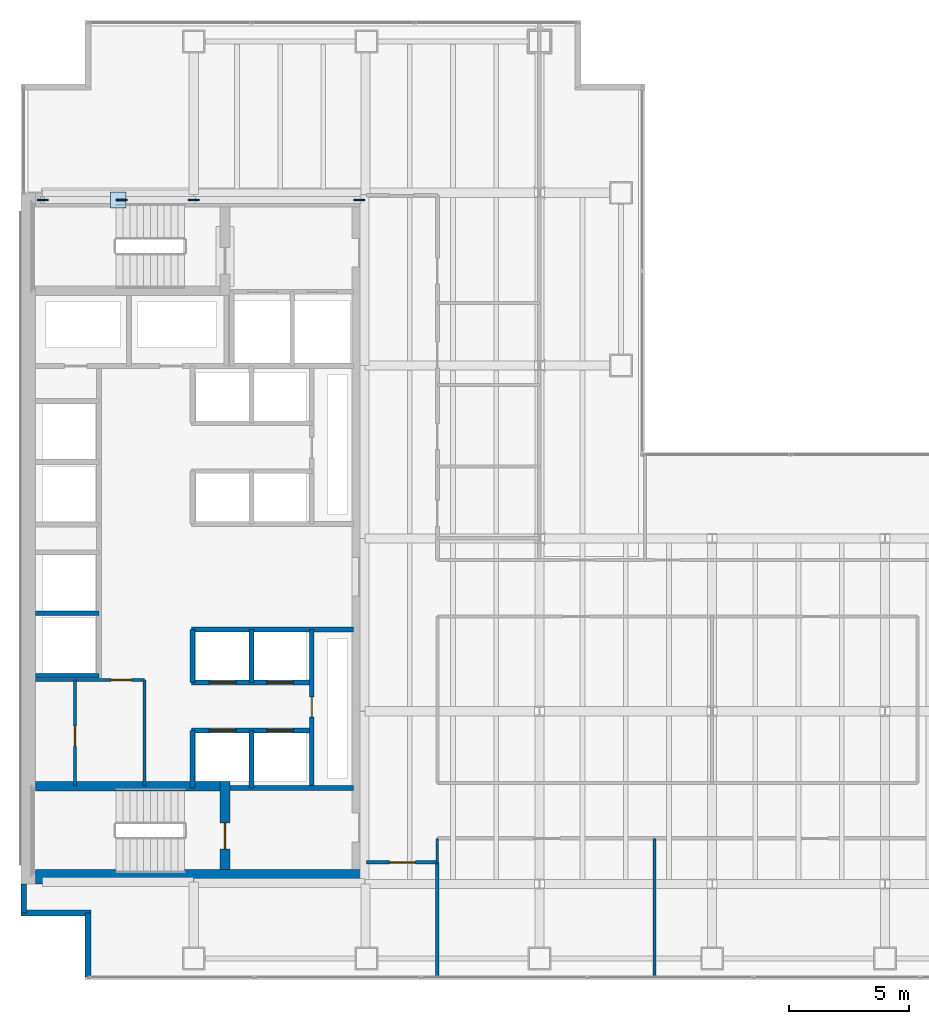
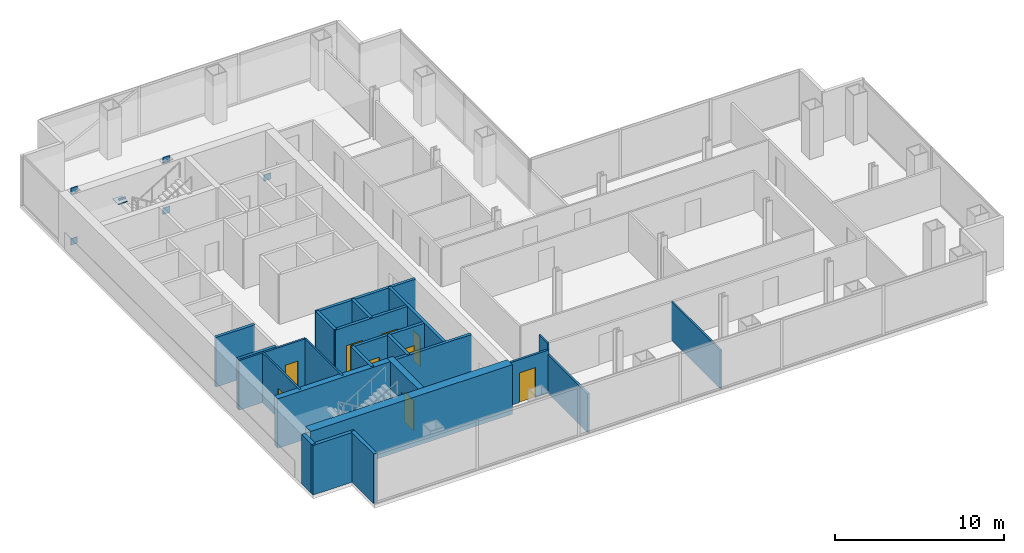
# One storey, part 20 of 23: 24 walls, 9 doors, 7 plates, 9 openings.
"""IFC4 building model written with IfcOpenShell, lengths in metres."""

from ifc_helpers import new_model, si_unit, direction, frame, frame_2d, origin, origin_2d, place, context, subcontext, project, spatial, rectangle, extrude, material, layer, layer_set, type_object, element, fill, save


model = new_model("IFC4")

# Units and contexts
model_context = context("Model", 3, precision=1e-05, world=origin(), true_north=direction((0.0, 1.0)))
body_context = subcontext(model_context, "Body", "Model", "MODEL_VIEW")
ifc_project = project(units=[si_unit("LENGTHUNIT", "METRE"), si_unit("AREAUNIT", "SQUARE_METRE"), si_unit("VOLUMEUNIT", "CUBIC_METRE"), si_unit("PLANEANGLEUNIT", "RADIAN"), si_unit("MASSUNIT", "GRAM", prefix="KILO")], contexts=[model_context])

# Site, building, storey
site_placement = place(None, origin())
site = spatial("IfcSite", under=ifc_project, at=site_placement, CompositionType="ELEMENT")
building_placement = place(site_placement, origin())
building = spatial("IfcBuilding", under=site, at=building_placement, Name="Cobrela Telecom Tower", CompositionType="ELEMENT")
storey_placement = place(building_placement, frame((0.0, 0.0, 102.199951171875)))
storey = spatial("IfcBuildingStorey", under=building, at=storey_placement, Name="L25", CompositionType="ELEMENT", Elevation=102.199951171875)

# Plates
ifc_material_1 = material(Name="Steel ASTM A572 Grade 50", Category="steel")
ifc_layer_1 = layer(ifc_material_1, 0.0419921875)
ifc_layer_set_1 = layer_set([ifc_layer_1], Name="Steel ASTM A572 Grade 50")
plate_type = type_object("IfcPlateType", Name="PLT-NODE-ND1", PredefinedType="USERDEFINED", material=ifc_layer_set_1)
for number, where, z_axis, x_axis, name in (
    (1, (0.89990234375, 35.699951171875, -0.27001953125), (0.0, 0.0, 1.0), (1.0, 0.0, 0.0), "Steel node plate PLT-MBR-EXO-L25-N1-A-0"),
    (2, (7.199951171875, 35.699951171875, 3.39013671875), (0.0, 0.0, 1.0), (1.0, 0.0, 0.0), "Steel node plate PLT-MBR-EXO-L25-N1-A-1"),
    (3, (7.199951171875, 35.699951171875, -0.27001953125), (0.0, 0.0, 1.0), (-1.0, 0.0, 0.0), "Steel node plate PLT-MBR-EXO-L25-N1-B1-0"),
    (4, (4.1953125, 35.699951171875, 1.4755859375), (0.0, 0.0, 1.0), (-1.0, 0.0, 0.0), "Steel node plate PLT-MBR-EXO-L25-N1-B1-1"),
    (5, (0.89990234375, 35.699951171875, 3.39013671875), (0.0, 0.0, 1.0), (-1.0, 0.0, 0.0), "Steel node plate PLT-MBR-EXO-L25-N1-B2-1"),
):
    element("IfcPlate", number, at=place(storey_placement, frame(where, z_axis=z_axis, x_axis=x_axis)), inside=storey, type_object=plate_type, Name=name, ObjectType="GUSSET PLATE", PredefinedType="USERDEFINED", context=body_context, shape_type="SweptSolid", body=[
        extrude(rectangle(XDim=0.4599609375, YDim=0.044921875, at=origin_2d()), origin(), (0.0, 0.0, 1.0), 0.4599609375),
    ])
plate_1_placement = place(storey_placement, frame((4.050048828125, 35.699951171875, 1.767578125), z_axis=(0.0, 0.0, 1.0), x_axis=(1.0, 0.0, 0.0)))
element("IfcPlate", 6, at=plate_1_placement, inside=storey, type_object=plate_type, Name="L25 Core Flange Steel X-Brace Central X-Crossing Gusset Plate", ObjectType="GUSSET PLATE", PredefinedType="USERDEFINED", context=body_context, shape_type="SweptSolid", body=[
    extrude(rectangle(XDim=0.64990234375, YDim=0.64990234375, at=origin_2d()), origin(), (0.0, 0.0, 1.0), 0.044921875),
])
plate_2_placement = place(storey_placement, frame((14.10009765625, 35.699951171875, -0.27001953125), z_axis=(0.0, 0.0, 1.0), x_axis=(-1.0, 0.0, 0.0)))
element("IfcPlate", 7, at=plate_2_placement, inside=storey, type_object=plate_type, Name="Steel node plate PLT-MBR-EXO-L25-N2-0", ObjectType="GUSSET PLATE", PredefinedType="USERDEFINED", context=body_context, shape_type="SweptSolid", body=[
    extrude(rectangle(XDim=0.4599609375, YDim=0.044921875, at=origin_2d()), origin(), (0.0, 0.0, 1.0), 0.4599609375),
])

# Walls
ifc_material_2 = material(Name="Concrete C50/60", Category="concrete")
ifc_layer_2 = layer(ifc_material_2, 0.60009765625)
ifc_layer_set_2 = layer_set([ifc_layer_2], Name="Concrete C50/60")
wall_type_1 = type_object("IfcWallType", Name="WALL-CORE-C50-600", PredefinedType="SHEAR", material=ifc_layer_set_2)
wall_1_placement = place(storey_placement, frame((0.60009765625, 7.5, 0.0), z_axis=(0.0, 0.0, 1.0), x_axis=(1.0, 0.0, 0.0)))
element("IfcWall", 8, at=wall_1_placement, inside=storey, type_object=wall_type_1, Name="L25 South Core Shear Wall", PredefinedType="SHEAR", context=body_context, shape_type="SweptSolid", body=[
    extrude(rectangle(XDim=13.7998046875, YDim=0.60009765625, at=frame_2d((6.89990234375, 0.0))), origin(), (0.0, 0.0, 1.0), 3.580078125),
])
ifc_material_3 = material(Name="Concrete C40/50", Category="concrete")
ifc_layer_3 = layer(ifc_material_3, 0.239990234375)
ifc_layer_set_3 = layer_set([ifc_layer_3], Name="Concrete C40/50")
wall_type_2 = type_object("IfcWallType", Name="WALL-EXT-300", PredefinedType="STANDARD", material=ifc_layer_set_3)
wall_2_placement = place(storey_placement, frame((2.7900390625, 3.320068359375, 0.0), z_axis=(0.0, 0.0, 1.0), x_axis=(0.0, 1.0, 0.0)))
element("IfcWall", 9, at=wall_2_placement, inside=storey, type_object=wall_type_2, Name="L25 Insulated Facade Wall 01", PredefinedType="STANDARD", context=body_context, shape_type="SweptSolid", body=[
    extrude(rectangle(XDim=2.669921875, YDim=0.239990234375, at=frame_2d((1.3349609375, 0.0))), origin(), (0.0, 0.0, 1.0), 3.580078125),
])
wall_3_placement = place(storey_placement, frame((2.909912109375, 5.989990234375, 0.0), z_axis=(0.0, 0.0, 1.0), x_axis=(-1.0, 0.0, 0.0)))
element("IfcWall", 10, at=wall_3_placement, inside=storey, type_object=wall_type_2, Name="L25 Insulated Facade Wall 02", PredefinedType="STANDARD", context=body_context, shape_type="SweptSolid", body=[
    extrude(rectangle(XDim=2.909912109375, YDim=0.239990234375, at=frame_2d((1.455078125, 0.0))), origin(), (0.0, 0.0, 1.0), 3.580078125),
])
wall_4_placement = place(storey_placement, frame((0.1201171875, 5.989990234375, 0.0), z_axis=(0.0, 0.0, 1.0), x_axis=(0.0, 1.0, 0.0)))
element("IfcWall", 11, at=wall_4_placement, inside=storey, type_object=wall_type_2, Name="L25 Insulated Facade Wall 03", PredefinedType="STANDARD", context=body_context, shape_type="SweptSolid", body=[
    extrude(rectangle(XDim=1.2099609375, YDim=0.239990234375, at=frame_2d((0.60498046875, 0.0))), origin(), (0.0, 0.0, 1.0), 3.580078125),
])
ifc_material_4 = material(Name="Fire-Rated Gypsum Plasterboard")
ifc_layer_4 = layer(ifc_material_4, 0.110107421875)
ifc_layer_set_4 = layer_set([ifc_layer_4], Name="Fire-Rated Gypsum Plasterboard")
wall_type_3 = type_object("IfcWallType", Name="WALL-PART-110", PredefinedType="PARTITIONING", material=ifc_layer_set_4)
wall_5_placement = place(storey_placement, frame((5.14990234375, 11.280029296875, 0.0), z_axis=(0.0, 0.0, 1.0), x_axis=(0.0, 1.0, 0.0)))
element("IfcWall", 12, at=wall_5_placement, inside=storey, type_object=wall_type_3, Name="L25 Interior Partition CW-FLEX-E", PredefinedType="PARTITIONING", context=body_context, shape_type="SweptSolid", body=[
    extrude(rectangle(XDim=4.419921875, YDim=0.110107421875, at=frame_2d((2.2099609375, 0.0))), origin(), (0.0, 0.0, 1.0), 3.580078125),
])
wall_6_placement = place(storey_placement, frame((17.35009765625, 8.10009765625, 0.0), z_axis=(0.0, 0.0, 1.0), x_axis=(0.0, 1.0, 0.0)))
element("IfcWall", 13, at=wall_6_placement, inside=storey, type_object=wall_type_3, Name="L25 Interior Partition W-UW-E1", PredefinedType="PARTITIONING", context=body_context, shape_type="SweptSolid", body=[
    extrude(rectangle(XDim=1.0, YDim=0.110107421875, at=frame_2d((0.5, 0.0))), origin(), (0.0, 0.0, 1.0), 3.580078125),
])
wall_7_placement = place(storey_placement, frame((26.39990234375, 3.320068359375, 0.0), z_axis=(0.0, 0.0, 1.0), x_axis=(0.0, 1.0, 0.0)))
element("IfcWall", 14, at=wall_7_placement, inside=storey, type_object=wall_type_3, Name="L25 Interior Partition W-USV-1", PredefinedType="PARTITIONING", context=body_context, shape_type="SweptSolid", body=[
    extrude(rectangle(XDim=5.780029296875, YDim=0.110107421875, at=frame_2d((2.89013671875, 0.0))), origin(), (0.0, 0.0, 1.0), 2.79296875),
])

# Wall, opening, door
ifc_layer_5 = layer(ifc_material_4, 0.125)
ifc_layer_set_5 = layer_set([ifc_layer_5], Name="Fire-Rated Gypsum Plasterboard")
wall_type_4 = type_object("IfcWallType", Name="WALL-PART-125", PredefinedType="PARTITIONING", material=ifc_layer_set_5)
wall_8_placement = place(storey_placement, frame((2.25, 11.280029296875, 0.0), z_axis=(0.0, 0.0, 1.0), x_axis=(0.0, 1.0, 0.0)))
wall_8 = element("IfcWall", 15, at=wall_8_placement, inside=storey, type_object=wall_type_4, Name="L25 Interior Partition CW-FK0-V", PredefinedType="PARTITIONING", context=body_context, shape_type="SweptSolid", body=[
    extrude(rectangle(XDim=4.419921875, YDim=0.125, at=frame_2d((2.2099609375, 0.0))), origin(), (0.0, 0.0, 1.0), 3.580078125),
])
opening_1_placement = place(wall_8_placement, frame((1.64990234375, 0.0, 0.0)))
opening_1 = element("IfcOpeningElement", 16, at=opening_1_placement, cuts=wall_8, Name="Opening DR-11", PredefinedType="OPENING", context=body_context, shape_type="SweptSolid", body=[
    extrude(rectangle(XDim=0.85009765625, YDim=2.14990234375, at=frame_2d((0.425048828125, 1.074951171875))), frame((0.0, 0.074462890625, 0.0), z_axis=(0.0, -1.0, 0.0), x_axis=(1.0, 0.0, 0.0)), (0.0, 0.0, 1.0), 0.14892578125),
])
ifc_material_5 = material(Name="Solid Engineered Oak Timber", Category="wood")
door_type_1 = type_object("IfcDoorType", Name="DOOR-INT-850", OperationType="SINGLE_SWING_LEFT", PredefinedType="DOOR", material=ifc_material_5)
door_1_placement = place(opening_1_placement, origin())
door_1 = element("IfcDoor", 17, at=door_1_placement, inside=storey, type_object=door_type_1, Name="L25 Door DR-11", OperationType="SINGLE_SWING_LEFT", OverallHeight=2.14990234375, OverallWidth=0.85009765625, PredefinedType="DOOR", context=body_context, shape_type="SweptSolid", body=[
    extrude(rectangle(XDim=0.85009765625, YDim=2.14990234375, at=frame_2d((0.425048828125, 1.074951171875))), frame((0.0, 0.02490234375, 0.0), z_axis=(0.0, -1.0, 0.0), x_axis=(1.0, 0.0, 0.0)), (0.0, 0.0, 1.0), 0.050048828125),
])
fill(opening_1, door_1)

ifc_layer_6 = layer(ifc_material_4, 0.135009765625)
ifc_layer_set_6 = layer_set([ifc_layer_6], Name="Fire-Rated Gypsum Plasterboard")
wall_type_5 = type_object("IfcWallType", Name="WALL-PART-135", PredefinedType="PARTITIONING", material=ifc_layer_set_6)
wall_9_placement = place(storey_placement, frame((0.60009765625, 15.699951171875, 0.0), z_axis=(0.0, 0.0, 1.0), x_axis=(1.0, 0.0, 0.0)))
wall_9 = element("IfcWall", 18, at=wall_9_placement, inside=storey, type_object=wall_type_5, Name="L25 Interior Partition CW-FLEX-N", PredefinedType="PARTITIONING", context=body_context, shape_type="SweptSolid", body=[
    extrude(rectangle(XDim=4.5498046875, YDim=0.135009765625, at=frame_2d((2.27490234375, 0.0))), origin(), (0.0, 0.0, 1.0), 3.580078125),
])
opening_2_placement = place(wall_9_placement, frame((3.14990234375, 0.0, 0.0)))
opening_2 = element("IfcOpeningElement", 19, at=opening_2_placement, cuts=wall_9, Name="Opening DR-11", PredefinedType="OPENING", context=body_context, shape_type="SweptSolid", body=[
    extrude(rectangle(XDim=0.85009765625, YDim=2.14990234375, at=frame_2d((0.425048828125, 1.074951171875))), frame((0.0, 0.07958984375, 0.0), z_axis=(0.0, -1.0, 0.0), x_axis=(1.0, 0.0, 0.0)), (0.0, 0.0, 1.0), 0.158935546875),
])
door_2_placement = place(opening_2_placement, origin())
door_2 = element("IfcDoor", 20, at=door_2_placement, inside=storey, type_object=door_type_1, Name="L25 Door DR-11", OperationType="SINGLE_SWING_RIGHT", OverallHeight=2.14990234375, OverallWidth=0.85009765625, PredefinedType="DOOR", context=body_context, shape_type="SweptSolid", body=[
    extrude(rectangle(XDim=0.85009765625, YDim=2.14990234375, at=frame_2d((0.425048828125, 1.074951171875))), frame((0.0, 0.02490234375, 0.0), z_axis=(0.0, -1.0, 0.0), x_axis=(1.0, 0.0, 0.0)), (0.0, 0.0, 1.0), 0.050048828125),
])
fill(opening_2, door_2)

# Wall
wall_10_placement = place(storey_placement, frame((17.35009765625, 3.320068359375, 0.0), z_axis=(0.0, 0.0, 1.0), x_axis=(0.0, 1.0, 0.0)))
element("IfcWall", 21, at=wall_10_placement, inside=storey, type_object=wall_type_5, Name="L25 Interior Partition W-USW-E", PredefinedType="PARTITIONING", context=body_context, shape_type="SweptSolid", body=[
    extrude(rectangle(XDim=4.780029296875, YDim=0.135009765625, at=frame_2d((2.39013671875, 0.0))), origin(), (0.0, 0.0, 1.0), 2.79296875),
])

# Wall, opening, door
ifc_layer_7 = layer(ifc_material_4, 0.14990234375)
ifc_layer_set_7 = layer_set([ifc_layer_7], Name="Fire-Rated Gypsum Plasterboard")
wall_type_6 = type_object("IfcWallType", Name="WALL-PART-150", PredefinedType="PARTITIONING", material=ifc_layer_set_7)
wall_11_placement = place(storey_placement, frame((14.39990234375, 8.10009765625, 0.0), z_axis=(0.0, 0.0, 1.0), x_axis=(1.0, 0.0, 0.0)))
wall_11 = element("IfcWall", 22, at=wall_11_placement, inside=storey, type_object=wall_type_6, Name="L25 Interior Partition W-UW-S0", PredefinedType="PARTITIONING", context=body_context, shape_type="SweptSolid", body=[
    extrude(rectangle(XDim=2.9501953125, YDim=0.14990234375, at=frame_2d((1.47509765625, 0.0))), origin(), (0.0, 0.0, 1.0), 3.09814453125),
])
opening_3_placement = place(wall_11_placement, frame((0.949951171875, 0.0, 0.0)))
opening_3 = element("IfcOpeningElement", 23, at=opening_3_placement, cuts=wall_11, Name="Opening DR-63", PredefinedType="OPENING", context=body_context, shape_type="SweptSolid", body=[
    extrude(rectangle(XDim=1.080078125, YDim=2.14990234375, at=frame_2d((0.5400390625, 1.074951171875))), frame((0.0, 0.0869140625, 0.0), z_axis=(0.0, -1.0, 0.0), x_axis=(1.0, 0.0, 0.0)), (0.0, 0.0, 1.0), 0.173828125),
])
door_type_2 = type_object("IfcDoorType", Name="DOOR-INT-1080", OperationType="SINGLE_SWING_LEFT", PredefinedType="DOOR", material=ifc_material_5)
door_3_placement = place(opening_3_placement, origin())
door_3 = element("IfcDoor", 24, at=door_3_placement, inside=storey, type_object=door_type_2, Name="L25 Door DR-63", OperationType="SINGLE_SWING_RIGHT", OverallHeight=2.14990234375, OverallWidth=1.080078125, PredefinedType="DOOR", context=body_context, shape_type="SweptSolid", body=[
    extrude(rectangle(XDim=1.080078125, YDim=2.14990234375, at=frame_2d((0.5400390625, 1.074951171875))), frame((0.0, 0.02490234375, 0.0), z_axis=(0.0, -1.0, 0.0), x_axis=(1.0, 0.0, 0.0)), (0.0, 0.0, 1.0), 0.050048828125),
])
fill(opening_3, door_3)

# Walls
ifc_layer_8 = layer(ifc_material_4, 0.199951171875)
ifc_layer_set_8 = layer_set([ifc_layer_8], Name="Fire-Rated Gypsum Plasterboard")
wall_type_7 = type_object("IfcWallType", Name="WALL-SHAFT-200", PredefinedType="PARTITIONING", material=ifc_layer_set_8)
wall_12_placement = place(storey_placement, frame((8.699951171875, 11.199951171875, 0.0), z_axis=(0.0, 0.0, 1.0), x_axis=(1.0, 0.0, 0.0)))
element("IfcWall", 25, at=wall_12_placement, inside=storey, type_object=wall_type_7, Name="L25 Shaft Enclosure CW-ST2L-N", PredefinedType="PARTITIONING", context=body_context, shape_type="SweptSolid", body=[
    extrude(rectangle(XDim=5.150146484375, YDim=0.199951171875, at=frame_2d((2.5751953125, 0.0))), origin(), (0.0, 0.0, 1.0), 3.580078125),
])
for number, where, z_axis, x_axis, name in (
    (26, (0.60009765625, 15.8798828125, 0.0), (0.0, 0.0, 1.0), (1.0, 0.0, 0.0), "L25 Shaft Enclosure CW-PLH-D9"),
    (27, (0.60009765625, 18.47998046875, 0.0), (0.0, 0.0, 1.0), (1.0, 0.0, 0.0), "L25 Shaft Enclosure CW-PLH-D10"),
):
    element("IfcWall", number, at=place(storey_placement, frame(where, z_axis=z_axis, x_axis=x_axis)), inside=storey, type_object=wall_type_7, Name=name, PredefinedType="PARTITIONING", context=body_context, shape_type="SweptSolid", body=[
        extrude(rectangle(XDim=2.64990234375, YDim=0.199951171875, at=frame_2d((1.324951171875, 0.0))), origin(), (0.0, 0.0, 1.0), 3.580078125),
    ])
wall_13_placement = place(storey_placement, frame((7.10009765625, 17.800048828125, 0.0), z_axis=(0.0, 0.0, 1.0), x_axis=(1.0, 0.0, 0.0)))
element("IfcWall", 28, at=wall_13_placement, inside=storey, type_object=wall_type_7, Name="L25 Shaft Enclosure CW-PLM-T0", PredefinedType="PARTITIONING", context=body_context, shape_type="SweptSolid", body=[
    extrude(rectangle(XDim=6.75, YDim=0.199951171875, at=frame_2d((3.375, 0.0))), origin(), (0.0, 0.0, 1.0), 3.580078125),
])

# Wall, openings, doors
wall_14_placement = place(storey_placement, frame((7.10009765625, 15.60009765625, 0.0), z_axis=(0.0, 0.0, 1.0), x_axis=(1.0, 0.0, 0.0)))
wall_14 = element("IfcWall", 29, at=wall_14_placement, inside=storey, type_object=wall_type_7, Name="L25 Shaft Enclosure CW-PLM-N", PredefinedType="PARTITIONING", context=body_context, shape_type="SweptSolid", body=[
    extrude(rectangle(XDim=5.02001953125, YDim=0.199951171875, at=frame_2d((2.510009765625, 0.0))), origin(), (0.0, 0.0, 1.0), 3.580078125),
])
opening_4_placement = place(wall_14_placement, frame((0.75, 0.0, 0.0)))
opening_4 = element("IfcOpeningElement", 30, at=opening_4_placement, cuts=wall_14, Name="Opening LD-1", PredefinedType="OPENING", context=body_context, shape_type="SweptSolid", body=[
    extrude(rectangle(XDim=1.10009765625, YDim=2.199951171875, at=frame_2d((0.550048828125, 1.10009765625))), frame((0.0, 0.11181640625, 0.0), z_axis=(0.0, -1.0, 0.0), x_axis=(1.0, 0.0, 0.0)), (0.0, 0.0, 1.0), 0.223876953125),
])
opening_5_placement = place(wall_14_placement, frame((3.14990234375, 0.0, 0.0)))
opening_5 = element("IfcOpeningElement", 31, at=opening_5_placement, cuts=wall_14, Name="Opening LD-1", PredefinedType="OPENING", context=body_context, shape_type="SweptSolid", body=[
    extrude(rectangle(XDim=1.10009765625, YDim=2.199951171875, at=frame_2d((0.550048828125, 1.10009765625))), frame((0.0, 0.11181640625, 0.0), z_axis=(0.0, -1.0, 0.0), x_axis=(1.0, 0.0, 0.0)), (0.0, 0.0, 1.0), 0.223876953125),
])
ifc_material_6 = material(Name="Steel ASTM A36", Category="steel")
door_type_3 = type_object("IfcDoorType", Name="DOOR-LD-PL", OperationType="SINGLE_SWING_LEFT", PredefinedType="DOOR", material=ifc_material_6)
door_4_placement = place(opening_4_placement, origin())
door_4 = element("IfcDoor", 32, at=door_4_placement, inside=storey, type_object=door_type_3, Name="L25 Lift Landing Door LD-1", OperationType="DOUBLE_DOOR_SLIDING", OverallHeight=2.199951171875, OverallWidth=1.10009765625, PredefinedType="DOOR", context=body_context, shape_type="SweptSolid", body=[
    extrude(rectangle(XDim=1.10009765625, YDim=2.199951171875, at=frame_2d((0.550048828125, 1.10009765625))), frame((0.0, 0.02490234375, 0.0), z_axis=(0.0, -1.0, 0.0), x_axis=(1.0, 0.0, 0.0)), (0.0, 0.0, 1.0), 0.050048828125),
])
fill(opening_4, door_4)
door_5_placement = place(opening_5_placement, origin())
door_5 = element("IfcDoor", 33, at=door_5_placement, inside=storey, type_object=door_type_3, Name="L25 Lift Landing Door LD-1", OperationType="DOUBLE_DOOR_SLIDING", OverallHeight=2.199951171875, OverallWidth=1.10009765625, PredefinedType="DOOR", context=body_context, shape_type="SweptSolid", body=[
    extrude(rectangle(XDim=1.10009765625, YDim=2.199951171875, at=frame_2d((0.550048828125, 1.10009765625))), frame((0.0, 0.02490234375, 0.0), z_axis=(0.0, -1.0, 0.0), x_axis=(1.0, 0.0, 0.0)), (0.0, 0.0, 1.0), 0.050048828125),
])
fill(opening_5, door_5)

wall_15_placement = place(storey_placement, frame((7.10009765625, 13.60009765625, 0.0), z_axis=(0.0, 0.0, 1.0), x_axis=(1.0, 0.0, 0.0)))
wall_15 = element("IfcWall", 34, at=wall_15_placement, inside=storey, type_object=wall_type_7, Name="L25 Shaft Enclosure CW-PLM-S", PredefinedType="PARTITIONING", context=body_context, shape_type="SweptSolid", body=[
    extrude(rectangle(XDim=5.02001953125, YDim=0.199951171875, at=frame_2d((2.510009765625, 0.0))), origin(), (0.0, 0.0, 1.0), 3.580078125),
])
opening_6_placement = place(wall_15_placement, frame((0.75, 0.0, 0.0)))
opening_6 = element("IfcOpeningElement", 35, at=opening_6_placement, cuts=wall_15, Name="Opening LD-1", PredefinedType="OPENING", context=body_context, shape_type="SweptSolid", body=[
    extrude(rectangle(XDim=1.10009765625, YDim=2.199951171875, at=frame_2d((0.550048828125, 1.10009765625))), frame((0.0, 0.11181640625, 0.0), z_axis=(0.0, -1.0, 0.0), x_axis=(1.0, 0.0, 0.0)), (0.0, 0.0, 1.0), 0.223876953125),
])
opening_7_placement = place(wall_15_placement, frame((3.14990234375, 0.0, 0.0)))
opening_7 = element("IfcOpeningElement", 36, at=opening_7_placement, cuts=wall_15, Name="Opening LD-1", PredefinedType="OPENING", context=body_context, shape_type="SweptSolid", body=[
    extrude(rectangle(XDim=1.10009765625, YDim=2.199951171875, at=frame_2d((0.550048828125, 1.10009765625))), frame((0.0, 0.11181640625, 0.0), z_axis=(0.0, -1.0, 0.0), x_axis=(1.0, 0.0, 0.0)), (0.0, 0.0, 1.0), 0.223876953125),
])
door_6_placement = place(opening_6_placement, origin())
door_6 = element("IfcDoor", 37, at=door_6_placement, inside=storey, type_object=door_type_3, Name="L25 Lift Landing Door LD-1", OperationType="DOUBLE_DOOR_SLIDING", OverallHeight=2.199951171875, OverallWidth=1.10009765625, PredefinedType="DOOR", context=body_context, shape_type="SweptSolid", body=[
    extrude(rectangle(XDim=1.10009765625, YDim=2.199951171875, at=frame_2d((0.550048828125, 1.10009765625))), frame((0.0, 0.02490234375, 0.0), z_axis=(0.0, -1.0, 0.0), x_axis=(1.0, 0.0, 0.0)), (0.0, 0.0, 1.0), 0.050048828125),
])
fill(opening_6, door_6)
door_7_placement = place(opening_7_placement, origin())
door_7 = element("IfcDoor", 38, at=door_7_placement, inside=storey, type_object=door_type_3, Name="L25 Lift Landing Door LD-1", OperationType="DOUBLE_DOOR_SLIDING", OverallHeight=2.199951171875, OverallWidth=1.10009765625, PredefinedType="DOOR", context=body_context, shape_type="SweptSolid", body=[
    extrude(rectangle(XDim=1.10009765625, YDim=2.199951171875, at=frame_2d((0.550048828125, 1.10009765625))), frame((0.0, 0.02490234375, 0.0), z_axis=(0.0, -1.0, 0.0), x_axis=(1.0, 0.0, 0.0)), (0.0, 0.0, 1.0), 0.050048828125),
])
fill(opening_7, door_7)

# Walls
wall_16_placement = place(storey_placement, frame((7.14990234375, 15.60009765625, 0.0), z_axis=(0.0, 0.0, 1.0), x_axis=(0.0, 1.0, 0.0)))
element("IfcWall", 39, at=wall_16_placement, inside=storey, type_object=wall_type_7, Name="L25 Shaft Enclosure CW-PLM-V1", PredefinedType="PARTITIONING", context=body_context, shape_type="SweptSolid", body=[
    extrude(rectangle(XDim=2.199951171875, YDim=0.199951171875, at=frame_2d((1.10009765625, 0.0))), origin(), (0.0, 0.0, 1.0), 3.580078125),
])
wall_17_placement = place(storey_placement, frame((7.14990234375, 11.199951171875, 0.0), z_axis=(0.0, 0.0, 1.0), x_axis=(0.0, 1.0, 0.0)))
element("IfcWall", 40, at=wall_17_placement, inside=storey, type_object=wall_type_7, Name="L25 Shaft Enclosure CW-PLM-V1B", PredefinedType="PARTITIONING", context=body_context, shape_type="SweptSolid", body=[
    extrude(rectangle(XDim=2.400146484375, YDim=0.199951171875, at=frame_2d((1.2001953125, 0.0))), origin(), (0.0, 0.0, 1.0), 3.580078125),
])
wall_18_placement = place(storey_placement, frame((9.60009765625, 15.60009765625, 0.0), z_axis=(0.0, 0.0, 1.0), x_axis=(0.0, 1.0, 0.0)))
element("IfcWall", 41, at=wall_18_placement, inside=storey, type_object=wall_type_7, Name="L25 Shaft Enclosure CW-PLM-V2", PredefinedType="PARTITIONING", context=body_context, shape_type="SweptSolid", body=[
    extrude(rectangle(XDim=2.199951171875, YDim=0.199951171875, at=frame_2d((1.10009765625, 0.0))), origin(), (0.0, 0.0, 1.0), 3.580078125),
])
wall_19_placement = place(storey_placement, frame((9.60009765625, 11.199951171875, 0.0), z_axis=(0.0, 0.0, 1.0), x_axis=(0.0, 1.0, 0.0)))
element("IfcWall", 42, at=wall_19_placement, inside=storey, type_object=wall_type_7, Name="L25 Shaft Enclosure CW-PLM-V2B", PredefinedType="PARTITIONING", context=body_context, shape_type="SweptSolid", body=[
    extrude(rectangle(XDim=2.400146484375, YDim=0.199951171875, at=frame_2d((1.2001953125, 0.0))), origin(), (0.0, 0.0, 1.0), 3.580078125),
])

# Wall, opening, door
wall_20_placement = place(storey_placement, frame((12.1201171875, 11.199951171875, 0.0), z_axis=(0.0, 0.0, 1.0), x_axis=(0.0, 1.0, 0.0)))
wall_20 = element("IfcWall", 43, at=wall_20_placement, inside=storey, type_object=wall_type_7, Name="L25 Shaft Enclosure CW-PLM-V3", PredefinedType="PARTITIONING", context=body_context, shape_type="SweptSolid", body=[
    extrude(rectangle(XDim=6.60009765625, YDim=0.199951171875, at=frame_2d((3.300048828125, 0.0))), origin(), (0.0, 0.0, 1.0), 3.580078125),
])
opening_8_placement = place(wall_20_placement, frame((2.949951171875, 0.0, 0.0)))
opening_8 = element("IfcOpeningElement", 44, at=opening_8_placement, cuts=wall_20, Name="Opening DR-11", PredefinedType="OPENING", context=body_context, shape_type="SweptSolid", body=[
    extrude(rectangle(XDim=0.85009765625, YDim=2.14990234375, at=frame_2d((0.425048828125, 1.074951171875))), frame((0.0, 0.11181640625, 0.0), z_axis=(0.0, -1.0, 0.0), x_axis=(1.0, 0.0, 0.0)), (0.0, 0.0, 1.0), 0.223876953125),
])
door_8_placement = place(opening_8_placement, origin())
door_8 = element("IfcDoor", 45, at=door_8_placement, inside=storey, type_object=door_type_1, Name="L25 Door DR-11", OperationType="SINGLE_SWING_RIGHT", OverallHeight=2.14990234375, OverallWidth=0.85009765625, PredefinedType="DOOR", context=body_context, shape_type="SweptSolid", body=[
    extrude(rectangle(XDim=0.85009765625, YDim=2.14990234375, at=frame_2d((0.425048828125, 1.074951171875))), frame((0.0, 0.02490234375, 0.0), z_axis=(0.0, -1.0, 0.0), x_axis=(1.0, 0.0, 0.0)), (0.0, 0.0, 1.0), 0.050048828125),
])
fill(opening_8, door_8)

# Wall
ifc_layer_9 = layer(ifc_material_3, 0.39990234375)
ifc_layer_set_9 = layer_set([ifc_layer_9], Name="Concrete C40/50")
wall_type_8 = type_object("IfcWallType", Name="WALL-SHAFT-C40-400", PredefinedType="SHEAR", material=ifc_layer_set_9)
wall_21_placement = place(storey_placement, frame((0.60009765625, 11.280029296875, 0.0), z_axis=(0.0, 0.0, 1.0), x_axis=(1.0, 0.0, 0.0)))
element("IfcWall", 46, at=wall_21_placement, inside=storey, type_object=wall_type_8, Name="L25 South Stair Shear Wall", PredefinedType="SHEAR", context=body_context, shape_type="SweptSolid", body=[
    extrude(rectangle(XDim=7.699951171875, YDim=0.39990234375, at=frame_2d((3.85009765625, 0.0))), origin(), (0.0, 0.0, 1.0), 3.580078125),
])

# Wall, opening, door
wall_22_placement = place(storey_placement, frame((8.5, 7.800048828125, 0.0), z_axis=(0.0, 0.0, 1.0), x_axis=(0.0, 1.0, 0.0)))
wall_22 = element("IfcWall", 47, at=wall_22_placement, inside=storey, type_object=wall_type_8, Name="L25 South Stair Lobby Shear Wall", PredefinedType="SHEAR", context=body_context, shape_type="SweptSolid", body=[
    extrude(rectangle(XDim=3.679931640625, YDim=0.39990234375, at=frame_2d((1.83984375, 0.0))), origin(), (0.0, 0.0, 1.0), 3.580078125),
])
opening_9_placement = place(wall_22_placement, frame((0.85009765625, 0.0, 0.0)))
opening_9 = element("IfcOpeningElement", 48, at=opening_9_placement, cuts=wall_22, Name="Opening FD-90", PredefinedType="OPENING", context=body_context, shape_type="SweptSolid", body=[
    extrude(rectangle(XDim=1.10009765625, YDim=2.14990234375, at=frame_2d((0.550048828125, 1.074951171875))), frame((0.0, 0.2119140625, 0.0), z_axis=(0.0, -1.0, 0.0), x_axis=(1.0, 0.0, 0.0)), (0.0, 0.0, 1.0), 0.423828125),
])
door_type_4 = type_object("IfcDoorType", Name="DOOR-FD90-1100", OperationType="SINGLE_SWING_LEFT", PredefinedType="DOOR", material=ifc_material_6)
door_9_placement = place(opening_9_placement, origin())
door_9 = element("IfcDoor", 49, at=door_9_placement, inside=storey, type_object=door_type_4, Name="L25 Door FD-90", OperationType="SINGLE_SWING_LEFT", OverallHeight=2.14990234375, OverallWidth=1.10009765625, PredefinedType="DOOR", context=body_context, shape_type="SweptSolid", body=[
    extrude(rectangle(XDim=1.10009765625, YDim=2.14990234375, at=frame_2d((0.550048828125, 1.074951171875))), frame((0.0, 0.02490234375, 0.0), z_axis=(0.0, -1.0, 0.0), x_axis=(1.0, 0.0, 0.0)), (0.0, 0.0, 1.0), 0.050048828125),
])
fill(opening_9, door_9)

save(model, "model.ifc")
